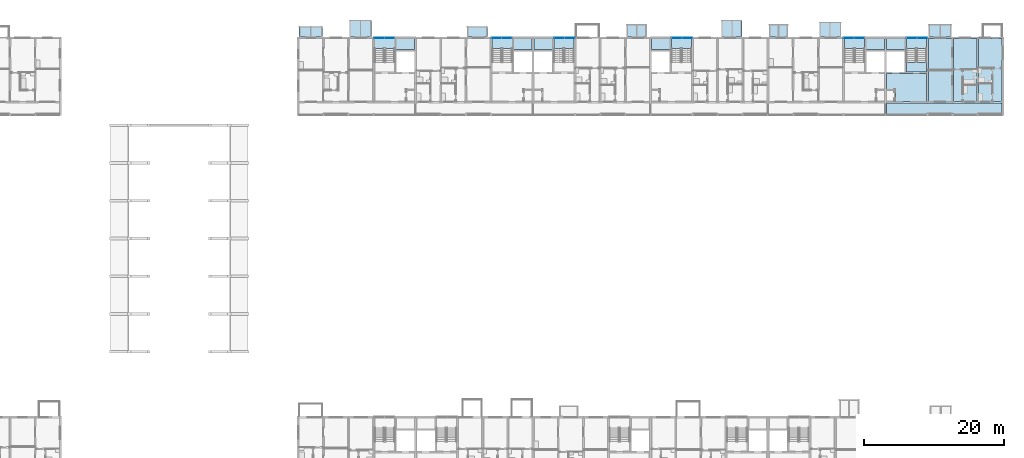
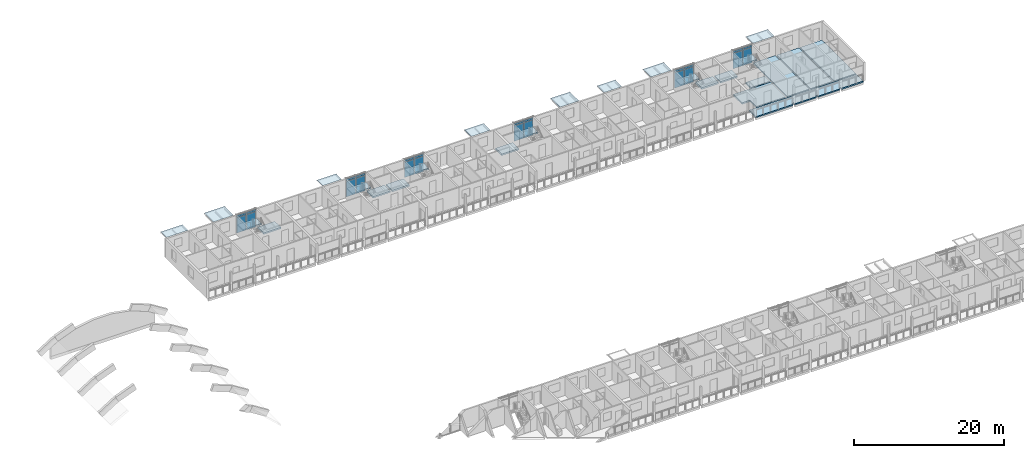
# One storey, part 27 of 99: 26 slabs, 24 plates, 12 elements without a shape of their own.
"""IFC4 building model written with IfcOpenShell, lengths in metres."""

from ifc_helpers import new_model, si_unit, direction, frame, origin, origin_2d, place, context, subcontext, project, spatial, polyline, rectangle, outline, extrude, material, layer, layer_set, type_object, element, aggregate, save


model = new_model("IFC4")

# Units and contexts
model_context = context("Model", 3, precision=1e-05, world=origin(), true_north=direction((0.0, 1.0)))
body_context = subcontext(model_context, "Body", "Model", "MODEL_VIEW")
ifc_project = project(units=[si_unit("LENGTHUNIT", "METRE"), si_unit("AREAUNIT", "SQUARE_METRE"), si_unit("VOLUMEUNIT", "CUBIC_METRE"), si_unit("PLANEANGLEUNIT", "RADIAN"), si_unit("MASSUNIT", "GRAM", prefix="KILO")], contexts=[model_context])

# Site, building, storey
site_placement = place(None, origin())
site = spatial("IfcSite", under=ifc_project, at=site_placement, CompositionType="ELEMENT")
building_placement = place(site_placement, origin())
building = spatial("IfcBuilding", under=site, at=building_placement, Name="Ridgestep Commons", CompositionType="ELEMENT")
storey_placement = place(building_placement, frame((0.0, 0.0, 15.0)))
storey = spatial("IfcBuildingStorey", under=building, at=storey_placement, Name="L05", CompositionType="ELEMENT", Elevation=15.0)

# Slab
ifc_material_1 = material(Name="Precast concrete C40/50", Category="concrete")
ifc_layer_1 = layer(ifc_material_1, 0.199951171875)
ifc_layer_set_1 = layer_set([ifc_layer_1], Name="Gallery slab 200")
slab_type_1 = type_object("IfcSlabType", Name="Gallery slab 200", PredefinedType="FLOOR", material=ifc_layer_set_1)
slab_1_placement = place(storey_placement, frame((0.0, 0.0, -0.199951171875)))
element("IfcSlab", 1, at=slab_1_placement, inside=storey, type_object=slab_type_1, Name="Gallery slab C6 L05", PredefinedType="FLOOR", context=body_context, shape_type="SweptSolid", body=[
    extrude(outline(polyline([(247.449951171875, 67.800048828125), (230.949951171875, 67.800048828125), (230.949951171875, 66.0), (236.675048828125, 66.0), (236.675048828125, 66.25), (236.925048828125, 66.25), (236.925048828125, 66.0), (240.27490234375, 66.0), (240.27490234375, 66.25), (240.52490234375, 66.25), (240.52490234375, 66.0), (243.875, 66.0), (243.875, 66.25), (244.125, 66.25), (244.125, 66.0), (247.449951171875, 66.0), (247.449951171875, 67.800048828125)])), origin(), (0.0, 0.0, 1.0), 0.199951171875),
])

# Curtain wall, plates
ifc_material_2 = material(Name="Aluminium 6063-T6 and glass", Category="aluminium")
curtain_wall_type = type_object("IfcCurtainWallType", Name="Curtain wall stair strip", PredefinedType="NOTDEFINED", material=ifc_material_2)
curtain_wall_1_placement = place(storey_placement, origin())
curtain_wall_1 = element("IfcCurtainWall", 2, at=curtain_wall_1_placement, inside=storey, type_object=curtain_wall_type, Name="Curtain wall C1C level 05", PredefinedType="NOTDEFINED")
ifc_material_3 = material(Name="Glass laminated 6/16/6 low-emissivity", Category="glass")
ifc_layer_2 = layer(ifc_material_3, 0.028076171875)
ifc_layer_set_2 = layer_set([ifc_layer_2], Name="Glazing panel 28")
plate_type_1 = type_object("IfcPlateType", Name="Glazing panel 28", PredefinedType="CURTAIN_PANEL", material=ifc_layer_set_2)
plate_1_placement = place(storey_placement, frame((158.371337890625, 77.080078125, 0.06005859375), z_axis=(0.0, 0.0, 1.0), x_axis=(1.0, 0.0, 0.0)))
plate_1 = element("IfcPlate", 3, at=plate_1_placement, type_object=plate_type_1, Name="CW1 panel 1.1", PredefinedType="CURTAIN_PANEL", context=body_context, shape_type="SweptSolid", body=[
    extrude(rectangle(XDim=1.422607421875, YDim=0.028076171875, at=origin_2d()), origin(), (0.0, 0.0, 1.0), 2.5),
])
plate_2_placement = place(storey_placement, frame((159.853759765625, 77.080078125, 0.06005859375), z_axis=(0.0, 0.0, 1.0), x_axis=(1.0, 0.0, 0.0)))
plate_2 = element("IfcPlate", 4, at=plate_2_placement, type_object=plate_type_1, Name="CW1 panel 2.1", PredefinedType="CURTAIN_PANEL", context=body_context, shape_type="SweptSolid", body=[
    extrude(rectangle(XDim=1.422607421875, YDim=0.028076171875, at=origin_2d()), origin(), (0.0, 0.0, 1.0), 2.5),
])

curtain_wall_2_placement = place(storey_placement, origin())
curtain_wall_2 = element("IfcCurtainWall", 5, at=curtain_wall_2_placement, inside=storey, type_object=curtain_wall_type, Name="Curtain wall C2C level 05", PredefinedType="NOTDEFINED")
plate_3_placement = place(storey_placement, frame((175.171142578125, 77.080078125, 0.06005859375), z_axis=(0.0, 0.0, 1.0), x_axis=(1.0, 0.0, 0.0)))
plate_3 = element("IfcPlate", 6, at=plate_3_placement, type_object=plate_type_1, Name="CW1 panel 1.1", PredefinedType="CURTAIN_PANEL", context=body_context, shape_type="SweptSolid", body=[
    extrude(rectangle(XDim=1.422607421875, YDim=0.028076171875, at=origin_2d()), origin(), (0.0, 0.0, 1.0), 2.5),
])
plate_4_placement = place(storey_placement, frame((176.65380859375, 77.080078125, 0.06005859375), z_axis=(0.0, 0.0, 1.0), x_axis=(1.0, 0.0, 0.0)))
plate_4 = element("IfcPlate", 7, at=plate_4_placement, type_object=plate_type_1, Name="CW1 panel 2.1", PredefinedType="CURTAIN_PANEL", context=body_context, shape_type="SweptSolid", body=[
    extrude(rectangle(XDim=1.422607421875, YDim=0.028076171875, at=origin_2d()), origin(), (0.0, 0.0, 1.0), 2.5),
])

curtain_wall_3_placement = place(storey_placement, origin())
curtain_wall_3 = element("IfcCurtainWall", 8, at=curtain_wall_3_placement, inside=storey, type_object=curtain_wall_type, Name="Curtain wall C3C level 05", PredefinedType="NOTDEFINED")
plate_5_placement = place(storey_placement, frame((184.146240234375, 77.080078125, 0.06005859375), z_axis=(0.0, 0.0, 1.0), x_axis=(1.0, 0.0, 0.0)))
plate_5 = element("IfcPlate", 9, at=plate_5_placement, type_object=plate_type_1, Name="CW1 panel 1.1", PredefinedType="CURTAIN_PANEL", context=body_context, shape_type="SweptSolid", body=[
    extrude(rectangle(XDim=1.422607421875, YDim=0.028076171875, at=origin_2d()), origin(), (0.0, 0.0, 1.0), 2.5),
])
plate_6_placement = place(storey_placement, frame((185.628662109375, 77.080078125, 0.06005859375), z_axis=(0.0, 0.0, 1.0), x_axis=(1.0, 0.0, 0.0)))
plate_6 = element("IfcPlate", 10, at=plate_6_placement, type_object=plate_type_1, Name="CW1 panel 2.1", PredefinedType="CURTAIN_PANEL", context=body_context, shape_type="SweptSolid", body=[
    extrude(rectangle(XDim=1.422607421875, YDim=0.028076171875, at=origin_2d()), origin(), (0.0, 0.0, 1.0), 2.5),
])

curtain_wall_4_placement = place(storey_placement, origin())
curtain_wall_4 = element("IfcCurtainWall", 11, at=curtain_wall_4_placement, inside=storey, type_object=curtain_wall_type, Name="Curtain wall C4C level 05", PredefinedType="NOTDEFINED")
plate_7_placement = place(storey_placement, frame((200.9462890625, 77.080078125, 0.06005859375), z_axis=(0.0, 0.0, 1.0), x_axis=(1.0, 0.0, 0.0)))
plate_7 = element("IfcPlate", 12, at=plate_7_placement, type_object=plate_type_1, Name="CW1 panel 1.1", PredefinedType="CURTAIN_PANEL", context=body_context, shape_type="SweptSolid", body=[
    extrude(rectangle(XDim=1.422607421875, YDim=0.028076171875, at=origin_2d()), origin(), (0.0, 0.0, 1.0), 2.5),
])
plate_8_placement = place(storey_placement, frame((202.4287109375, 77.080078125, 0.06005859375), z_axis=(0.0, 0.0, 1.0), x_axis=(1.0, 0.0, 0.0)))
plate_8 = element("IfcPlate", 13, at=plate_8_placement, type_object=plate_type_1, Name="CW1 panel 2.1", PredefinedType="CURTAIN_PANEL", context=body_context, shape_type="SweptSolid", body=[
    extrude(rectangle(XDim=1.422607421875, YDim=0.028076171875, at=origin_2d()), origin(), (0.0, 0.0, 1.0), 2.5),
])

curtain_wall_5_placement = place(storey_placement, origin())
curtain_wall_5 = element("IfcCurtainWall", 14, at=curtain_wall_5_placement, inside=storey, type_object=curtain_wall_type, Name="Curtain wall C5C level 05", PredefinedType="NOTDEFINED")
plate_9_placement = place(storey_placement, frame((225.5712890625, 77.080078125, 0.06005859375), z_axis=(0.0, 0.0, 1.0), x_axis=(1.0, 0.0, 0.0)))
plate_9 = element("IfcPlate", 15, at=plate_9_placement, type_object=plate_type_1, Name="CW1 panel 1.1", PredefinedType="CURTAIN_PANEL", context=body_context, shape_type="SweptSolid", body=[
    extrude(rectangle(XDim=1.422607421875, YDim=0.028076171875, at=origin_2d()), origin(), (0.0, 0.0, 1.0), 2.5),
])
plate_10_placement = place(storey_placement, frame((227.0537109375, 77.080078125, 0.06005859375), z_axis=(0.0, 0.0, 1.0), x_axis=(1.0, 0.0, 0.0)))
plate_10 = element("IfcPlate", 16, at=plate_10_placement, type_object=plate_type_1, Name="CW1 panel 2.1", PredefinedType="CURTAIN_PANEL", context=body_context, shape_type="SweptSolid", body=[
    extrude(rectangle(XDim=1.422607421875, YDim=0.028076171875, at=origin_2d()), origin(), (0.0, 0.0, 1.0), 2.5),
])

curtain_wall_6_placement = place(storey_placement, origin())
curtain_wall_6 = element("IfcCurtainWall", 17, at=curtain_wall_6_placement, inside=storey, type_object=curtain_wall_type, Name="Curtain wall C6C level 05", PredefinedType="NOTDEFINED")
plate_11_placement = place(storey_placement, frame((234.546142578125, 77.080078125, 0.06005859375), z_axis=(0.0, 0.0, 1.0), x_axis=(1.0, 0.0, 0.0)))
plate_11 = element("IfcPlate", 18, at=plate_11_placement, type_object=plate_type_1, Name="CW1 panel 1.1", PredefinedType="CURTAIN_PANEL", context=body_context, shape_type="SweptSolid", body=[
    extrude(rectangle(XDim=1.422607421875, YDim=0.028076171875, at=origin_2d()), origin(), (0.0, 0.0, 1.0), 2.5),
])
plate_12_placement = place(storey_placement, frame((236.02880859375, 77.080078125, 0.06005859375), z_axis=(0.0, 0.0, 1.0), x_axis=(1.0, 0.0, 0.0)))
plate_12 = element("IfcPlate", 19, at=plate_12_placement, type_object=plate_type_1, Name="CW1 panel 2.1", PredefinedType="CURTAIN_PANEL", context=body_context, shape_type="SweptSolid", body=[
    extrude(rectangle(XDim=1.422607421875, YDim=0.028076171875, at=origin_2d()), origin(), (0.0, 0.0, 1.0), 2.5),
])

# Slabs
ifc_material_4 = material(Name="Precast concrete C50/60", Category="concrete")
ifc_layer_3 = layer(ifc_material_4, 0.199951171875)
ifc_layer_set_3 = layer_set([ifc_layer_3], Name="Hollow-core plank 200")
slab_type_2 = type_object("IfcSlabType", Name="Hollow-core plank 200", PredefinedType="FLOOR", material=ifc_layer_set_3)
slab_2_placement = place(storey_placement, frame((0.0, 0.0, -0.199951171875)))
element("IfcSlab", 20, at=slab_2_placement, inside=storey, type_object=slab_type_2, Name="Floor plank C6T3 L05", PredefinedType="FLOOR", context=body_context, shape_type="SweptSolid", body=[
    extrude(outline(polyline([(240.300048828125, 68.0), (240.300048828125, 77.0), (236.925048828125, 77.0), (236.925048828125, 68.0), (240.300048828125, 68.0)])), origin(), (0.0, 0.0, 1.0), 0.199951171875),
])
slab_3_placement = place(storey_placement, frame((0.0, 0.0, -0.199951171875)))
element("IfcSlab", 21, at=slab_3_placement, inside=storey, type_object=slab_type_2, Name="Floor plank C6T2 L05", PredefinedType="FLOOR", context=body_context, shape_type="SweptSolid", body=[
    extrude(outline(polyline([(243.89990234375, 68.0), (243.89990234375, 77.0), (240.5, 77.0), (240.5, 68.0), (243.89990234375, 68.0)])), origin(), (0.0, 0.0, 1.0), 0.199951171875),
])
slab_4_placement = place(storey_placement, frame((0.0, 0.0, -0.199951171875)))
element("IfcSlab", 22, at=slab_4_placement, inside=storey, type_object=slab_type_2, Name="Floor plank C6T1 L05", PredefinedType="FLOOR", context=body_context, shape_type="SweptSolid", body=[
    extrude(outline(polyline([(247.449951171875, 68.0), (247.449951171875, 77.0), (244.10009765625, 77.0), (244.10009765625, 68.0), (247.449951171875, 68.0)])), origin(), (0.0, 0.0, 1.0), 0.199951171875),
])
ifc_material_5 = material(Name="Precast concrete C50/60", Category="concrete")
ifc_layer_4 = layer(ifc_material_5, 0.25)
ifc_layer_set_4 = layer_set([ifc_layer_4], Name="Hollow-core plank 250")
slab_type_3 = type_object("IfcSlabType", Name="Hollow-core plank 250", PredefinedType="FLOOR", material=ifc_layer_set_4)
slab_5_placement = place(storey_placement, frame((0.0, 0.0, -0.25)))
element("IfcSlab", 23, at=slab_5_placement, inside=storey, type_object=slab_type_3, Name="Floor plank C1C L05", PredefinedType="FLOOR", context=body_context, shape_type="SweptSolid", body=[
    extrude(outline(polyline([(163.449951171875, 75.39990234375), (163.449951171875, 77.0), (160.824951171875, 77.0), (160.824951171875, 75.39990234375), (163.449951171875, 75.39990234375)])), origin(), (0.0, 0.0, 1.0), 0.25),
])
slab_6_placement = place(storey_placement, frame((0.0, 0.0, -0.25)))
element("IfcSlab", 24, at=slab_6_placement, inside=storey, type_object=slab_type_3, Name="Floor plank C2C L05", PredefinedType="FLOOR", context=body_context, shape_type="SweptSolid", body=[
    extrude(outline(polyline([(180.25, 75.39990234375), (180.25, 77.0), (177.625, 77.0), (177.625, 75.39990234375), (180.25, 75.39990234375)])), origin(), (0.0, 0.0, 1.0), 0.25),
])
slab_7_placement = place(storey_placement, frame((0.0, 0.0, -0.25)))
element("IfcSlab", 25, at=slab_7_placement, inside=storey, type_object=slab_type_3, Name="Floor plank C3C L05", PredefinedType="FLOOR", context=body_context, shape_type="SweptSolid", body=[
    extrude(outline(polyline([(183.175048828125, 77.0), (180.550048828125, 77.0), (180.550048828125, 75.39990234375), (183.175048828125, 75.39990234375), (183.175048828125, 77.0)])), origin(), (0.0, 0.0, 1.0), 0.25),
])
slab_8_placement = place(storey_placement, frame((0.0, 0.0, -0.25)))
element("IfcSlab", 26, at=slab_8_placement, inside=storey, type_object=slab_type_3, Name="Floor plank C4C L05", PredefinedType="FLOOR", context=body_context, shape_type="SweptSolid", body=[
    extrude(outline(polyline([(199.97509765625, 77.0), (197.35009765625, 77.0), (197.35009765625, 75.39990234375), (199.97509765625, 75.39990234375), (199.97509765625, 77.0)])), origin(), (0.0, 0.0, 1.0), 0.25),
])
slab_9_placement = place(storey_placement, frame((0.0, 0.0, -0.25)))
element("IfcSlab", 27, at=slab_9_placement, inside=storey, type_object=slab_type_3, Name="Floor plank C5C L05", PredefinedType="FLOOR", context=body_context, shape_type="SweptSolid", body=[
    extrude(outline(polyline([(230.64990234375, 75.39990234375), (230.64990234375, 77.0), (228.02490234375, 77.0), (228.02490234375, 75.39990234375), (230.64990234375, 75.39990234375)])), origin(), (0.0, 0.0, 1.0), 0.25),
])
slab_10_placement = place(storey_placement, frame((0.0, 0.0, -0.25)))
element("IfcSlab", 28, at=slab_10_placement, inside=storey, type_object=slab_type_3, Name="Floor plank C6C L05", PredefinedType="FLOOR", context=body_context, shape_type="SweptSolid", body=[
    extrude(outline(polyline([(232.199951171875, 68.0), (236.675048828125, 68.0), (236.675048828125, 72.0), (230.949951171875, 72.0), (230.949951171875, 69.719970703125), (232.080078125, 69.719970703125), (232.199951171875, 69.719970703125), (232.199951171875, 68.0)])), origin(), (0.0, 0.0, 1.0), 0.25),
])
slab_11_placement = place(storey_placement, frame((0.0, 0.0, -0.25)))
element("IfcSlab", 29, at=slab_11_placement, inside=storey, type_object=slab_type_3, Name="Floor plank C6C L05", PredefinedType="FLOOR", context=body_context, shape_type="SweptSolid", body=[
    extrude(outline(polyline([(233.574951171875, 77.0), (230.949951171875, 77.0), (230.949951171875, 75.39990234375), (233.574951171875, 75.39990234375), (233.574951171875, 77.0)])), origin(), (0.0, 0.0, 1.0), 0.25),
])
slab_12_placement = place(storey_placement, frame((0.0, 0.0, -0.25)))
element("IfcSlab", 30, at=slab_12_placement, inside=storey, type_object=slab_type_3, Name="Floor plank C6C L05", PredefinedType="FLOOR", context=body_context, shape_type="SweptSolid", body=[
    extrude(outline(polyline([(236.675048828125, 72.199951171875), (236.675048828125, 73.60009765625), (233.77490234375, 73.60009765625), (233.77490234375, 72.199951171875), (236.675048828125, 72.199951171875)])), origin(), (0.0, 0.0, 1.0), 0.25),
])

# Plate
ifc_material_6 = material(Name="Aluminium 6063-T6 and mineral wool", Category="aluminium")
ifc_layer_5 = layer(ifc_material_6, 0.0400390625)
ifc_layer_set_5 = layer_set([ifc_layer_5], Name="Spandrel panel 40")
plate_type_2 = type_object("IfcPlateType", Name="Spandrel panel 40", PredefinedType="CURTAIN_PANEL", material=ifc_layer_set_5)
plate_13_placement = place(storey_placement, frame((158.371337890625, 77.080078125, 2.6201171875), z_axis=(0.0, 0.0, 1.0), x_axis=(1.0, 0.0, 0.0)))
plate_13 = element("IfcPlate", 31, at=plate_13_placement, type_object=plate_type_2, Name="CW1 panel 1.2", PredefinedType="CURTAIN_PANEL", context=body_context, shape_type="SweptSolid", body=[
    extrude(rectangle(XDim=1.422607421875, YDim=0.0400390625, at=origin_2d()), origin(), (0.0, 0.0, 1.0), 0.320068359375),
])

plate_14_placement = place(storey_placement, frame((159.853759765625, 77.080078125, 2.6201171875), z_axis=(0.0, 0.0, 1.0), x_axis=(1.0, 0.0, 0.0)))
plate_14 = element("IfcPlate", 32, at=plate_14_placement, type_object=plate_type_2, Name="CW1 panel 2.2", PredefinedType="CURTAIN_PANEL", context=body_context, shape_type="SweptSolid", body=[
    extrude(rectangle(XDim=1.422607421875, YDim=0.0400390625, at=origin_2d()), origin(), (0.0, 0.0, 1.0), 0.320068359375),
])

aggregate(curtain_wall_1, [plate_1, plate_13, plate_2, plate_14])

plate_15_placement = place(storey_placement, frame((175.171142578125, 77.080078125, 2.6201171875), z_axis=(0.0, 0.0, 1.0), x_axis=(1.0, 0.0, 0.0)))
plate_15 = element("IfcPlate", 33, at=plate_15_placement, type_object=plate_type_2, Name="CW1 panel 1.2", PredefinedType="CURTAIN_PANEL", context=body_context, shape_type="SweptSolid", body=[
    extrude(rectangle(XDim=1.422607421875, YDim=0.0400390625, at=origin_2d()), origin(), (0.0, 0.0, 1.0), 0.320068359375),
])

plate_16_placement = place(storey_placement, frame((176.65380859375, 77.080078125, 2.6201171875), z_axis=(0.0, 0.0, 1.0), x_axis=(1.0, 0.0, 0.0)))
plate_16 = element("IfcPlate", 34, at=plate_16_placement, type_object=plate_type_2, Name="CW1 panel 2.2", PredefinedType="CURTAIN_PANEL", context=body_context, shape_type="SweptSolid", body=[
    extrude(rectangle(XDim=1.422607421875, YDim=0.0400390625, at=origin_2d()), origin(), (0.0, 0.0, 1.0), 0.320068359375),
])

aggregate(curtain_wall_2, [plate_3, plate_15, plate_4, plate_16])

plate_17_placement = place(storey_placement, frame((184.146240234375, 77.080078125, 2.6201171875), z_axis=(0.0, 0.0, 1.0), x_axis=(1.0, 0.0, 0.0)))
plate_17 = element("IfcPlate", 35, at=plate_17_placement, type_object=plate_type_2, Name="CW1 panel 1.2", PredefinedType="CURTAIN_PANEL", context=body_context, shape_type="SweptSolid", body=[
    extrude(rectangle(XDim=1.422607421875, YDim=0.0400390625, at=origin_2d()), origin(), (0.0, 0.0, 1.0), 0.320068359375),
])

plate_18_placement = place(storey_placement, frame((185.628662109375, 77.080078125, 2.6201171875), z_axis=(0.0, 0.0, 1.0), x_axis=(1.0, 0.0, 0.0)))
plate_18 = element("IfcPlate", 36, at=plate_18_placement, type_object=plate_type_2, Name="CW1 panel 2.2", PredefinedType="CURTAIN_PANEL", context=body_context, shape_type="SweptSolid", body=[
    extrude(rectangle(XDim=1.422607421875, YDim=0.0400390625, at=origin_2d()), origin(), (0.0, 0.0, 1.0), 0.320068359375),
])

aggregate(curtain_wall_3, [plate_5, plate_17, plate_6, plate_18])

plate_19_placement = place(storey_placement, frame((200.9462890625, 77.080078125, 2.6201171875), z_axis=(0.0, 0.0, 1.0), x_axis=(1.0, 0.0, 0.0)))
plate_19 = element("IfcPlate", 37, at=plate_19_placement, type_object=plate_type_2, Name="CW1 panel 1.2", PredefinedType="CURTAIN_PANEL", context=body_context, shape_type="SweptSolid", body=[
    extrude(rectangle(XDim=1.422607421875, YDim=0.0400390625, at=origin_2d()), origin(), (0.0, 0.0, 1.0), 0.320068359375),
])

plate_20_placement = place(storey_placement, frame((202.4287109375, 77.080078125, 2.6201171875), z_axis=(0.0, 0.0, 1.0), x_axis=(1.0, 0.0, 0.0)))
plate_20 = element("IfcPlate", 38, at=plate_20_placement, type_object=plate_type_2, Name="CW1 panel 2.2", PredefinedType="CURTAIN_PANEL", context=body_context, shape_type="SweptSolid", body=[
    extrude(rectangle(XDim=1.422607421875, YDim=0.0400390625, at=origin_2d()), origin(), (0.0, 0.0, 1.0), 0.320068359375),
])

aggregate(curtain_wall_4, [plate_7, plate_19, plate_8, plate_20])

plate_21_placement = place(storey_placement, frame((225.5712890625, 77.080078125, 2.6201171875), z_axis=(0.0, 0.0, 1.0), x_axis=(1.0, 0.0, 0.0)))
plate_21 = element("IfcPlate", 39, at=plate_21_placement, type_object=plate_type_2, Name="CW1 panel 1.2", PredefinedType="CURTAIN_PANEL", context=body_context, shape_type="SweptSolid", body=[
    extrude(rectangle(XDim=1.422607421875, YDim=0.0400390625, at=origin_2d()), origin(), (0.0, 0.0, 1.0), 0.320068359375),
])

plate_22_placement = place(storey_placement, frame((227.0537109375, 77.080078125, 2.6201171875), z_axis=(0.0, 0.0, 1.0), x_axis=(1.0, 0.0, 0.0)))
plate_22 = element("IfcPlate", 40, at=plate_22_placement, type_object=plate_type_2, Name="CW1 panel 2.2", PredefinedType="CURTAIN_PANEL", context=body_context, shape_type="SweptSolid", body=[
    extrude(rectangle(XDim=1.422607421875, YDim=0.0400390625, at=origin_2d()), origin(), (0.0, 0.0, 1.0), 0.320068359375),
])

aggregate(curtain_wall_5, [plate_9, plate_21, plate_10, plate_22])

plate_23_placement = place(storey_placement, frame((234.546142578125, 77.080078125, 2.6201171875), z_axis=(0.0, 0.0, 1.0), x_axis=(1.0, 0.0, 0.0)))
plate_23 = element("IfcPlate", 41, at=plate_23_placement, type_object=plate_type_2, Name="CW1 panel 1.2", PredefinedType="CURTAIN_PANEL", context=body_context, shape_type="SweptSolid", body=[
    extrude(rectangle(XDim=1.422607421875, YDim=0.0400390625, at=origin_2d()), origin(), (0.0, 0.0, 1.0), 0.320068359375),
])

plate_24_placement = place(storey_placement, frame((236.02880859375, 77.080078125, 2.6201171875), z_axis=(0.0, 0.0, 1.0), x_axis=(1.0, 0.0, 0.0)))
plate_24 = element("IfcPlate", 42, at=plate_24_placement, type_object=plate_type_2, Name="CW1 panel 2.2", PredefinedType="CURTAIN_PANEL", context=body_context, shape_type="SweptSolid", body=[
    extrude(rectangle(XDim=1.422607421875, YDim=0.0400390625, at=origin_2d()), origin(), (0.0, 0.0, 1.0), 0.320068359375),
])

aggregate(curtain_wall_6, [plate_11, plate_23, plate_12, plate_24])

# Stair, slab
ifc_material_7 = material(Name="Precast concrete C40/50", Category="concrete")
stair_type = type_object("IfcStairType", Name="Escape stair 1400", PredefinedType="HALF_TURN_STAIR", material=ifc_material_7)
stair_1_placement = place(storey_placement, origin())
stair_1 = element("IfcStair", 43, at=stair_1_placement, inside=storey, type_object=stair_type, Name="L05 Escape stair C1C", PredefinedType="HALF_TURN_STAIR")
ifc_material_8 = material(Name="Precast concrete C40/50", Category="concrete")
ifc_layer_6 = layer(ifc_material_8, 0.199951171875)
ifc_layer_set_6 = layer_set([ifc_layer_6], Name="Stair landing 200")
slab_type_4 = type_object("IfcSlabType", Name="Stair landing 200", PredefinedType="LANDING", material=ifc_layer_set_6)
slab_13_placement = place(storey_placement, frame((0.0, 0.0, 1.300048828125)))
slab_13 = element("IfcSlab", 44, at=slab_13_placement, type_object=slab_type_4, Name="C1C landing 1", PredefinedType="LANDING", context=body_context, shape_type="SweptSolid", body=[
    extrude(outline(polyline([(160.625, 75.56005859375), (160.625, 77.0), (157.72509765625, 77.0), (157.72509765625, 75.56005859375), (160.625, 75.56005859375)])), origin(), (0.0, 0.0, 1.0), 0.199951171875),
])
aggregate(stair_1, [slab_13])

stair_2_placement = place(storey_placement, origin())
stair_2 = element("IfcStair", 45, at=stair_2_placement, inside=storey, type_object=stair_type, Name="L05 Escape stair C2C", PredefinedType="HALF_TURN_STAIR")
slab_14_placement = place(storey_placement, frame((0.0, 0.0, 1.300048828125)))
slab_14 = element("IfcSlab", 46, at=slab_14_placement, type_object=slab_type_4, Name="C2C landing 1", PredefinedType="LANDING", context=body_context, shape_type="SweptSolid", body=[
    extrude(outline(polyline([(177.425048828125, 75.56005859375), (177.425048828125, 77.0), (174.52490234375, 77.0), (174.52490234375, 75.56005859375), (177.425048828125, 75.56005859375)])), origin(), (0.0, 0.0, 1.0), 0.199951171875),
])
aggregate(stair_2, [slab_14])

stair_3_placement = place(storey_placement, origin())
stair_3 = element("IfcStair", 47, at=stair_3_placement, inside=storey, type_object=stair_type, Name="L05 Escape stair C3C", PredefinedType="HALF_TURN_STAIR")
slab_15_placement = place(storey_placement, frame((0.0, 0.0, 1.300048828125)))
slab_15 = element("IfcSlab", 48, at=slab_15_placement, type_object=slab_type_4, Name="C3C landing 1", PredefinedType="LANDING", context=body_context, shape_type="SweptSolid", body=[
    extrude(outline(polyline([(186.27490234375, 75.56005859375), (186.27490234375, 77.0), (183.375, 77.0), (183.375, 75.56005859375), (186.27490234375, 75.56005859375)])), origin(), (0.0, 0.0, 1.0), 0.199951171875),
])
aggregate(stair_3, [slab_15])

stair_4_placement = place(storey_placement, origin())
stair_4 = element("IfcStair", 49, at=stair_4_placement, inside=storey, type_object=stair_type, Name="L05 Escape stair C4C", PredefinedType="HALF_TURN_STAIR")
slab_16_placement = place(storey_placement, frame((0.0, 0.0, 1.300048828125)))
slab_16 = element("IfcSlab", 50, at=slab_16_placement, type_object=slab_type_4, Name="C4C landing 1", PredefinedType="LANDING", context=body_context, shape_type="SweptSolid", body=[
    extrude(outline(polyline([(203.074951171875, 75.56005859375), (203.074951171875, 77.0), (200.175048828125, 77.0), (200.175048828125, 75.56005859375), (203.074951171875, 75.56005859375)])), origin(), (0.0, 0.0, 1.0), 0.199951171875),
])
aggregate(stair_4, [slab_16])

stair_5_placement = place(storey_placement, origin())
stair_5 = element("IfcStair", 51, at=stair_5_placement, inside=storey, type_object=stair_type, Name="L05 Escape stair C5C", PredefinedType="HALF_TURN_STAIR")
slab_17_placement = place(storey_placement, frame((0.0, 0.0, 1.300048828125)))
slab_17 = element("IfcSlab", 52, at=slab_17_placement, type_object=slab_type_4, Name="C5C landing 1", PredefinedType="LANDING", context=body_context, shape_type="SweptSolid", body=[
    extrude(outline(polyline([(227.824951171875, 75.56005859375), (227.824951171875, 77.0), (224.925048828125, 77.0), (224.925048828125, 75.56005859375), (227.824951171875, 75.56005859375)])), origin(), (0.0, 0.0, 1.0), 0.199951171875),
])
aggregate(stair_5, [slab_17])

stair_6_placement = place(storey_placement, origin())
stair_6 = element("IfcStair", 53, at=stair_6_placement, inside=storey, type_object=stair_type, Name="L05 Escape stair C6C", PredefinedType="HALF_TURN_STAIR")
slab_18_placement = place(storey_placement, frame((0.0, 0.0, 1.300048828125)))
slab_18 = element("IfcSlab", 54, at=slab_18_placement, type_object=slab_type_4, Name="C6C landing 1", PredefinedType="LANDING", context=body_context, shape_type="SweptSolid", body=[
    extrude(outline(polyline([(236.675048828125, 75.56005859375), (236.675048828125, 77.0), (233.77490234375, 77.0), (233.77490234375, 75.56005859375), (236.675048828125, 75.56005859375)])), origin(), (0.0, 0.0, 1.0), 0.199951171875),
])
aggregate(stair_6, [slab_18])

# Slabs
ifc_material_9 = material(Name="Weathering steel S355J2W", Category="steel")
ifc_layer_7 = layer(ifc_material_9, 0.010009765625)
ifc_layer_set_7 = layer_set([ifc_layer_7], Name="Tray 2.8 x 1.8")
slab_type_5 = type_object("IfcSlabType", Name="Tray 2.8 x 1.8", PredefinedType="FLOOR", material=ifc_layer_set_7)
slab_19_placement = place(storey_placement, frame((0.0, 0.0, 2.989990234375)))
element("IfcSlab", 55, at=slab_19_placement, inside=storey, type_object=slab_type_5, Name="Tray deck C5T1-06", PredefinedType="FLOOR", context=body_context, shape_type="SweptSolid", body=[
    extrude(outline(polyline([(214.1298828125, 77.25), (216.8701171875, 77.25), (216.8701171875, 79.050048828125), (214.1298828125, 79.050048828125), (214.1298828125, 77.25)])), origin(), (0.0, 0.0, 1.0), 0.010009765625),
])
ifc_material_10 = material(Name="Weathering steel S355J2W", Category="steel")
ifc_layer_8 = layer(ifc_material_10, 0.010009765625)
ifc_layer_set_8 = layer_set([ifc_layer_8], Name="Tray 3.0 x 1.5")
slab_type_6 = type_object("IfcSlabType", Name="Tray 3.0 x 1.5", PredefinedType="FLOOR", material=ifc_layer_set_8)
slab_20_placement = place(storey_placement, frame((0.0, 0.0, 2.989990234375)))
element("IfcSlab", 56, at=slab_20_placement, inside=storey, type_object=slab_type_6, Name="Tray deck C2T3-06", PredefinedType="FLOOR", context=body_context, shape_type="SweptSolid", body=[
    extrude(outline(polyline([(170.929931640625, 77.25), (173.8701171875, 77.25), (173.8701171875, 78.75), (170.929931640625, 78.75), (170.929931640625, 77.25)])), origin(), (0.0, 0.0, 1.0), 0.010009765625),
])
ifc_material_11 = material(Name="Weathering steel S355J2W", Category="steel")
ifc_layer_9 = layer(ifc_material_11, 0.010009765625)
ifc_layer_set_9 = layer_set([ifc_layer_9], Name="Tray 3.0 x 1.8")
slab_type_7 = type_object("IfcSlabType", Name="Tray 3.0 x 1.8", PredefinedType="FLOOR", material=ifc_layer_set_9)
slab_21_placement = place(storey_placement, frame((0.0, 0.0, 2.989990234375)))
element("IfcSlab", 57, at=slab_21_placement, inside=storey, type_object=slab_type_7, Name="Tray deck C3T1-06", PredefinedType="FLOOR", context=body_context, shape_type="SweptSolid", body=[
    extrude(outline(polyline([(193.72998046875, 77.25), (196.669921875, 77.25), (196.669921875, 79.050048828125), (193.72998046875, 79.050048828125), (193.72998046875, 77.25)])), origin(), (0.0, 0.0, 1.0), 0.010009765625),
])
ifc_material_12 = material(Name="Weathering steel S355J2W", Category="steel")
ifc_layer_10 = layer(ifc_material_12, 0.010009765625)
ifc_layer_set_10 = layer_set([ifc_layer_10], Name="Tray 3.0 x 2.4")
slab_type_8 = type_object("IfcSlabType", Name="Tray 3.0 x 2.4", PredefinedType="FLOOR", material=ifc_layer_set_10)
slab_22_placement = place(storey_placement, frame((0.0, 0.0, 2.989990234375)))
element("IfcSlab", 58, at=slab_22_placement, inside=storey, type_object=slab_type_8, Name="Tray deck C4T2-06", PredefinedType="FLOOR", context=body_context, shape_type="SweptSolid", body=[
    extrude(outline(polyline([(207.330078125, 77.25), (210.27001953125, 77.25), (210.27001953125, 79.64990234375), (207.330078125, 79.64990234375), (207.330078125, 77.25)])), origin(), (0.0, 0.0, 1.0), 0.010009765625),
])
ifc_material_13 = material(Name="Weathering steel S355J2W", Category="steel")
ifc_layer_11 = layer(ifc_material_13, 0.010009765625)
ifc_layer_set_11 = layer_set([ifc_layer_11], Name="Tray 3.2 x 2.1")
slab_type_9 = type_object("IfcSlabType", Name="Tray 3.2 x 2.1", PredefinedType="FLOOR", material=ifc_layer_set_11)
slab_23_placement = place(storey_placement, frame((0.0, 0.0, 2.989990234375)))
element("IfcSlab", 59, at=slab_23_placement, inside=storey, type_object=slab_type_9, Name="Tray deck C5T3-06", PredefinedType="FLOOR", context=body_context, shape_type="SweptSolid", body=[
    extrude(outline(polyline([(221.330078125, 77.25), (224.469970703125, 77.25), (224.469970703125, 79.35009765625), (221.330078125, 79.35009765625), (221.330078125, 77.25)])), origin(), (0.0, 0.0, 1.0), 0.010009765625),
])
ifc_material_14 = material(Name="Weathering steel S355J2W", Category="steel")
ifc_layer_12 = layer(ifc_material_14, 0.010009765625)
ifc_layer_set_12 = layer_set([ifc_layer_12], Name="Tray 3.2 x 2.4")
slab_type_10 = type_object("IfcSlabType", Name="Tray 3.2 x 2.4", PredefinedType="FLOOR", material=ifc_layer_set_12)
slab_24_placement = place(storey_placement, frame((0.0, 0.0, 2.989990234375)))
element("IfcSlab", 60, at=slab_24_placement, inside=storey, type_object=slab_type_10, Name="Tray deck C1T3-06", PredefinedType="FLOOR", context=body_context, shape_type="SweptSolid", body=[
    extrude(outline(polyline([(154.1298828125, 77.25), (157.27001953125, 77.25), (157.27001953125, 79.64990234375), (154.1298828125, 79.64990234375), (154.1298828125, 77.25)])), origin(), (0.0, 0.0, 1.0), 0.010009765625),
])
ifc_material_15 = material(Name="Weathering steel S355J2W", Category="steel")
ifc_layer_13 = layer(ifc_material_15, 0.010009765625)
ifc_layer_set_13 = layer_set([ifc_layer_13], Name="Tray 3.4 x 1.5")
slab_type_11 = type_object("IfcSlabType", Name="Tray 3.4 x 1.5", PredefinedType="FLOOR", material=ifc_layer_set_13)
slab_25_placement = place(storey_placement, frame((0.0, 0.0, 2.989990234375)))
element("IfcSlab", 61, at=slab_25_placement, inside=storey, type_object=slab_type_11, Name="Tray deck C1T1-06", PredefinedType="FLOOR", context=body_context, shape_type="SweptSolid", body=[
    extrude(outline(polyline([(146.929931640625, 77.25), (150.27001953125, 77.25), (150.27001953125, 78.75), (146.929931640625, 78.75), (146.929931640625, 77.25)])), origin(), (0.0, 0.0, 1.0), 0.010009765625),
])
ifc_material_16 = material(Name="Weathering steel S355J2W", Category="steel")
ifc_layer_14 = layer(ifc_material_16, 0.010009765625)
ifc_layer_set_14 = layer_set([ifc_layer_14], Name="Tray 3.4 x 1.8")
slab_type_12 = type_object("IfcSlabType", Name="Tray 3.4 x 1.8", PredefinedType="FLOOR", material=ifc_layer_set_14)
slab_26_placement = place(storey_placement, frame((0.0, 0.0, 2.989990234375)))
element("IfcSlab", 62, at=slab_26_placement, inside=storey, type_object=slab_type_12, Name="Tray deck C6T3-06", PredefinedType="FLOOR", context=body_context, shape_type="SweptSolid", body=[
    extrude(outline(polyline([(236.929931640625, 77.25), (240.27001953125, 77.25), (240.27001953125, 79.050048828125), (236.929931640625, 79.050048828125), (236.929931640625, 77.25)])), origin(), (0.0, 0.0, 1.0), 0.010009765625),
])

save(model, "model.ifc")
